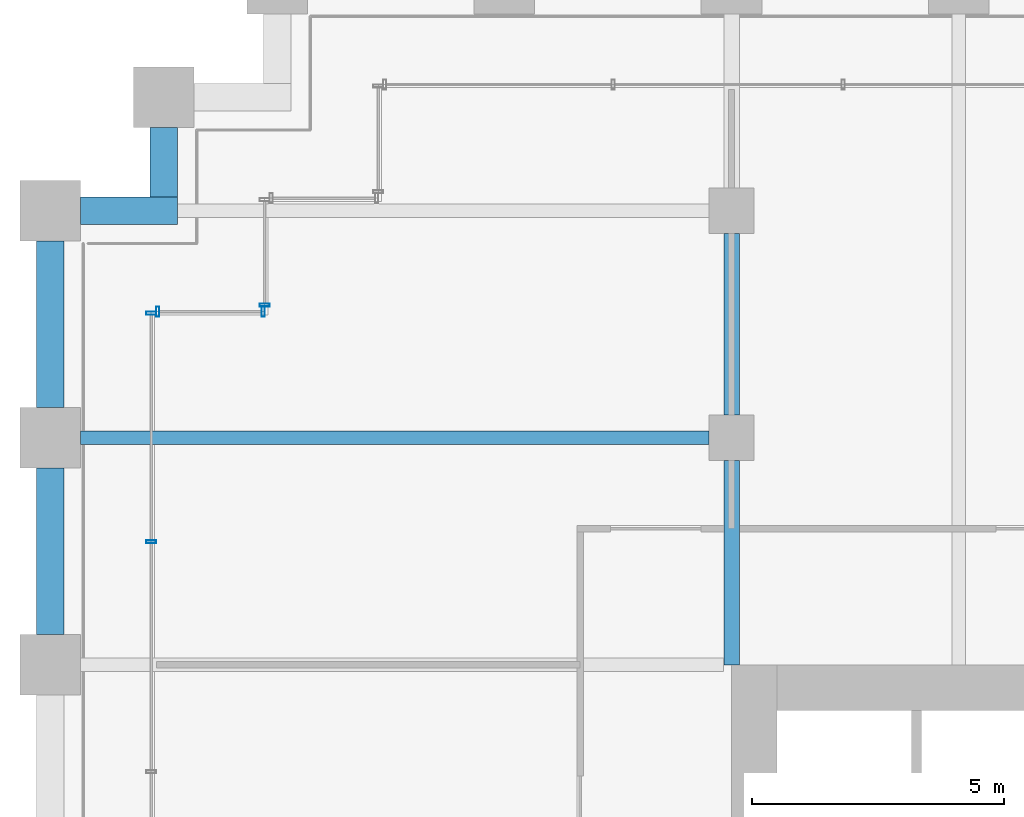
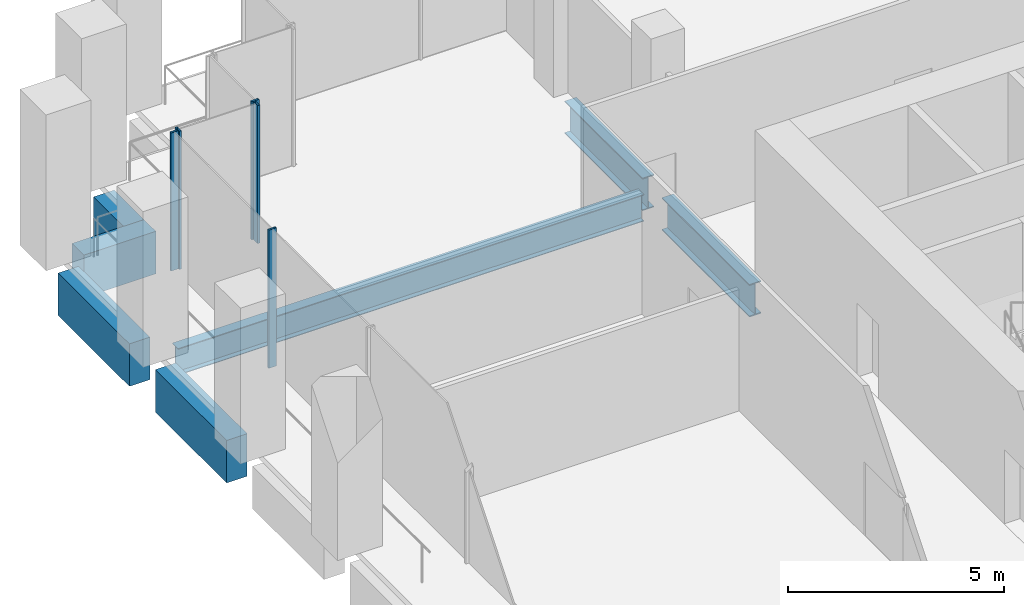
# One storey, part 13 of 36: 7 beams, 5 members, 3 elements without a shape of their own.
"""IFC4 building model written with IfcOpenShell, lengths in metres."""

import ifcopenshell
import ifcopenshell.guid

model = None  # the IFC model being written
_history = None  # IfcOwnerHistory: only IFC2X3 demands one
_inside = {}  # id of a spatial element -> (the spatial element, [elements in it])
_under = {}  # id of a project, library or spatial element -> (it, [spatial elements below it])
_declared = {}  # id of a project -> (the project, [libraries it declares])
_typed = {}  # id of a type object -> (the type object, [elements of that type])
_made_of = {}  # id of a material, layer set ... -> (it, [elements and type objects made of it])


def new_model(schema):
    """Start an empty IFC model of exactly this schema.

    Asked for "IFC4X3", IfcOpenShell would pick the latest addendum, in which some entities
    have other attributes; the version numbers below select the first issue.
    IFC2X3 requires an IfcOwnerHistory on every rooted entity: one is made here for all.
    """
    global model, _history
    if schema == "IFC4X3":
        model = ifcopenshell.file(schema_version=(4, 3, 0, 0))
    else:
        model = ifcopenshell.file(schema=schema)
    _inside.clear()
    _under.clear()
    _declared.clear()
    _typed.clear()
    _made_of.clear()
    _history = None
    if model.schema == "IFC2X3":
        org = make("IfcOrganization", Name="unknown")
        user = make(
            "IfcPersonAndOrganization",
            ThePerson=make("IfcPerson", FamilyName="unknown"),
            TheOrganization=org,
        )
        app = make(
            "IfcApplication",
            ApplicationDeveloper=org,
            Version="unknown",
            ApplicationFullName="unknown",
            ApplicationIdentifier="unknown",
        )
        _history = make(
            "IfcOwnerHistory",
            OwningUser=user,
            OwningApplication=app,
            ChangeAction="ADDED",
            CreationDate=0,
        )
    return model


def make(cls, **values):
    """One entity of the class cls with the attributes given. An attribute that is None is left unset."""
    return model.create_entity(
        cls, **{name: value for name, value in values.items() if value is not None}
    )


def rooted(cls, **values):
    """An entity with a GlobalId (a new one), such as an element, a storey or a relation."""
    return make(cls, GlobalId=ifcopenshell.guid.new(), OwnerHistory=_history, **values)


def si_unit(unit_type, name, prefix=None):
    """IfcSIUnit, for example si_unit("LENGTHUNIT", "METRE", prefix="MILLI")."""
    return make("IfcSIUnit", UnitType=unit_type, Prefix=prefix, Name=name)


def assignment(units):
    """IfcUnitAssignment: the units of a project."""
    return None if units is None else make("IfcUnitAssignment", Units=units)


def point(xyz):
    """IfcCartesianPoint."""
    return None if xyz is None else make("IfcCartesianPoint", Coordinates=xyz)


def direction(xyz):
    """IfcDirection."""
    return None if xyz is None else make("IfcDirection", DirectionRatios=xyz)


def frame(location, z_axis=None, x_axis=None):
    """IfcAxis2Placement3D, a coordinate frame: its origin and axes. An axis left out is left unset."""
    return make(
        "IfcAxis2Placement3D",
        Location=point(location),
        Axis=direction(z_axis),
        RefDirection=direction(x_axis),
    )


def frame_2d(location, x_axis=None):
    """IfcAxis2Placement2D, a coordinate frame in the plane: its origin and x axis."""
    return make(
        "IfcAxis2Placement2D", Location=point(location), RefDirection=direction(x_axis)
    )


def origin():
    """The frame at (0, 0, 0) with its axes left unset."""
    return frame((0.0, 0.0, 0.0))


def origin_2d():
    """The frame at (0, 0) in the plane with its x axis left unset."""
    return frame_2d((0.0, 0.0))


def place(relative_to, where):
    """IfcLocalPlacement: puts the frame where relative to a parent placement (None: the world)."""
    return make(
        "IfcLocalPlacement", PlacementRelTo=relative_to, RelativePlacement=where
    )


def context(
    kind, dimensions, precision=None, world=None, true_north=None, identifier=None
):
    """IfcGeometricRepresentationContext, for example the 3D "Model" context."""
    return make(
        "IfcGeometricRepresentationContext",
        ContextIdentifier=identifier,
        ContextType=kind,
        CoordinateSpaceDimension=dimensions,
        Precision=precision,
        WorldCoordinateSystem=world,
        TrueNorth=true_north,
    )


def subcontext(parent, identifier, kind, view, scale=None):
    """IfcGeometricRepresentationSubContext, for example "Body" below "Model"."""
    return make(
        "IfcGeometricRepresentationSubContext",
        ContextIdentifier=identifier,
        ContextType=kind,
        ParentContext=parent,
        TargetScale=scale,
        TargetView=view,
    )


def project(units=None, contexts=None):
    """IfcProject with its units and contexts."""
    return rooted(
        "IfcProject",
        Name="project",
        RepresentationContexts=contexts,
        UnitsInContext=assignment(units),
    )


def spatial(cls, under=None, at=None, **own):
    """A site, building, storey or space (cls), placed at a placement, below another one or the project."""
    s = rooted(cls, ObjectPlacement=at, **own)
    if under is not None:
        _under.setdefault(under.id(), (under, []))[1].append(s)
    return s


def profile(cls, at=None, kind="AREA", **sizes):
    """A parametric profile (cls). Its sizes go by their IFC names, for example OverallWidth=200.0."""
    return make(cls, ProfileType=kind, Position=at, **sizes)


def rectangle(**sizes):
    """IfcRectangleProfileDef."""
    return profile("IfcRectangleProfileDef", **sizes)


def hollow_rectangle(**sizes):
    """IfcRectangleHollowProfileDef."""
    return profile("IfcRectangleHollowProfileDef", **sizes)


def i_section(**sizes):
    """IfcIShapeProfileDef."""
    return profile("IfcIShapeProfileDef", **sizes)


def extrude(swept, where, along, depth):
    """IfcExtrudedAreaSolid: the profile swept, set in the frame where, extruded along a direction by depth."""
    return make(
        "IfcExtrudedAreaSolid",
        SweptArea=swept,
        Position=where,
        ExtrudedDirection=direction(along),
        Depth=depth,
    )


def shape(context_of_items, identifier, shape_type, items):
    """IfcShapeRepresentation: the items that make up one representation, for example the "Body"."""
    return make(
        "IfcShapeRepresentation",
        ContextOfItems=context_of_items,
        RepresentationIdentifier=identifier,
        RepresentationType=shape_type,
        Items=items,
    )


def material(Name=None, Category=None):
    """IfcMaterial."""
    return make("IfcMaterial", Name=Name, Category=Category)


def material_profile(
    of_material, cross_section, Name=None, Category=None, Priority=None
):
    """IfcMaterialProfile: a cross section and its material."""
    return make(
        "IfcMaterialProfile",
        Name=Name,
        Material=of_material,
        Profile=cross_section,
        Priority=Priority,
        Category=Category,
    )


def profile_set(profiles, Name=None, composite=None):
    """IfcMaterialProfileSet."""
    return make(
        "IfcMaterialProfileSet",
        Name=Name,
        MaterialProfiles=profiles,
        CompositeProfile=composite,
    )


def made_of(thing, what):
    """Note that an element or type object is made of a material, layer set ...; save() writes the relation."""
    if what is not None:
        _made_of.setdefault(what.id(), (what, []))[1].append(thing)
    return thing


def type_object(cls, material=None, **own):
    """A type object (cls), such as IfcWallType, which elements share."""
    return made_of(rooted(cls, **own), material)


def element(
    cls,
    number,
    at=None,
    inside=None,
    cuts=None,
    type_object=None,
    material=None,
    context=None,
    identifier="Body",
    shape_type=None,
    held_by="IfcProductDefinitionShape",
    body=None,
    shapes=None,
    **own,
):
    """One element of the class cls, such as IfcWall. Its Tag is "e" and its number.

    at: its placement. inside: the storey or other place that contains it. cuts: it is an
    opening in that element (IfcRelVoidsElement). A single representation is given by context,
    identifier, shape_type and body (its items); several are given by shapes. held_by: the class
    of the entity that holds the representations. save() writes the other relations.
    """
    e = rooted(cls, Tag="e%d" % number, ObjectPlacement=at, **own)
    if body is not None:
        shapes = [shape(context, identifier, shape_type, body)]
    if shapes is not None:
        e.Representation = make(held_by, Representations=shapes)
    if inside is not None:
        _inside.setdefault(inside.id(), (inside, []))[1].append(e)
    if cuts is not None:
        rooted(
            "IfcRelVoidsElement", RelatingBuildingElement=cuts, RelatedOpeningElement=e
        )
    if type_object is not None:
        _typed.setdefault(type_object.id(), (type_object, []))[1].append(e)
    return made_of(e, material)


def aggregate(whole, parts):
    """IfcRelAggregates: a whole, such as a stair, and the parts it consists of."""
    return rooted("IfcRelAggregates", RelatingObject=whole, RelatedObjects=parts)


def save(model, path):
    """Write the relations noted so far, then the file.

    IfcRelAggregates (storeys below a building ...), IfcRelContainedInSpatialStructure (elements
    in a storey), IfcRelDefinesByType, IfcRelAssociatesMaterial and IfcRelDeclares: one each for
    every whole, place, type object, material and project.
    """
    for whole, parts in _under.values():
        aggregate(whole, parts)
    for where, things in _inside.values():
        rooted(
            "IfcRelContainedInSpatialStructure",
            RelatedElements=things,
            RelatingStructure=where,
        )
    for kind, things in _typed.values():
        rooted("IfcRelDefinesByType", RelatedObjects=things, RelatingType=kind)
    for what, things in _made_of.values():
        rooted("IfcRelAssociatesMaterial", RelatedObjects=things, RelatingMaterial=what)
    for by, libraries in _declared.values():
        rooted("IfcRelDeclares", RelatingContext=by, RelatedDefinitions=libraries)
    model.write(path)


model = new_model("IFC4")

# Units and contexts
model_context = context("Model", 3, precision=1e-05, world=origin(), true_north=direction((0.0, 1.0)))
body_context = subcontext(model_context, "Body", "Model", "MODEL_VIEW")
ifc_project = project(units=[si_unit("LENGTHUNIT", "METRE"), si_unit("AREAUNIT", "SQUARE_METRE"), si_unit("VOLUMEUNIT", "CUBIC_METRE"), si_unit("PLANEANGLEUNIT", "RADIAN"), si_unit("MASSUNIT", "GRAM", prefix="KILO")], contexts=[model_context])

# Site, building, storey
site_placement = place(None, origin())
site = spatial("IfcSite", under=ifc_project, at=site_placement, CompositionType="ELEMENT")
building_placement = place(site_placement, origin())
building = spatial("IfcBuilding", under=site, at=building_placement, Name="Altepetl Exchange Towers", CompositionType="ELEMENT")
storey_placement = place(building_placement, frame((0.0, 0.0, 29.800048828125)))
storey = spatial("IfcBuildingStorey", under=building, at=storey_placement, Name="L06", CompositionType="ELEMENT", Elevation=29.800048828125)

# Beams
ifc_material_1 = material(Name="Steel S355", Category="steel")
ifc_material_profile_1 = material_profile(ifc_material_1, i_section(OverallWidth=0.26611328125, OverallDepth=0.758056640625, WebThickness=0.013916015625, FlangeThickness=0.019287109375, at=origin_2d()), Name="W30X108")
ifc_profile_set_1 = profile_set([ifc_material_profile_1], Name="Steel S355")
beam_type_1 = type_object("IfcBeamType", Name="Floor beam W30X108", PredefinedType="BEAM", material=ifc_profile_set_1)
beam_1_placement = place(storey_placement, frame((27.60009765625, 63.0, -0.553955078125), z_axis=(1.0, 0.0, 0.0), x_axis=(0.0, 1.0, 0.0)))
element("IfcBeam", 1, at=beam_1_placement, inside=storey, type_object=beam_type_1, Name="bm:A:L06:022", PredefinedType="BEAM", context=body_context, shape_type="SweptSolid", body=[
    extrude(i_section(OverallWidth=0.26611328125, OverallDepth=0.758056640625, WebThickness=0.013916015625, FlangeThickness=0.019287109375, at=origin_2d()), origin(), (0.0, 0.0, 1.0), 12.449951171875),
])
ifc_material_profile_2 = material_profile(ifc_material_1, i_section(OverallWidth=0.306884765625, OverallDepth=0.923095703125, WebThickness=0.018310546875, FlangeThickness=0.030029296875, at=origin_2d()), Name="W36X182")
ifc_profile_set_2 = profile_set([ifc_material_profile_2], Name="Steel S355")
beam_type_2 = type_object("IfcBeamType", Name="Girder W36X182", PredefinedType="BEAM", material=ifc_profile_set_2)
beam_2_placement = place(storey_placement, frame((40.5, 67.050048828125, -0.636474609375), z_axis=(0.0, -1.0, 0.0), x_axis=(1.0, 0.0, 0.0)))
element("IfcBeam", 2, at=beam_2_placement, inside=storey, type_object=beam_type_2, Name="gd:A:L06:004", PredefinedType="BEAM", context=body_context, shape_type="SweptSolid", body=[
    extrude(i_section(OverallWidth=0.306884765625, OverallDepth=0.923095703125, WebThickness=0.018310546875, FlangeThickness=0.030029296875, at=origin_2d()), origin(), (0.0, 0.0, 1.0), 3.60009765625),
])
beam_3_placement = place(storey_placement, frame((40.5, 62.550048828125, -0.636474609375), z_axis=(0.0, -1.0, 0.0), x_axis=(1.0, 0.0, 0.0)))
element("IfcBeam", 3, at=beam_3_placement, inside=storey, type_object=beam_type_2, Name="gd:A:L06:005", PredefinedType="BEAM", context=body_context, shape_type="SweptSolid", body=[
    extrude(i_section(OverallWidth=0.306884765625, OverallDepth=0.923095703125, WebThickness=0.018310546875, FlangeThickness=0.030029296875, at=origin_2d()), origin(), (0.0, 0.0, 1.0), 4.050048828125),
])

# Curtain wall, members
ifc_material_2 = material(Name="Aluminium 6063-T6 glazing", Category="aluminium")
curtain_wall_type = type_object("IfcCurtainWallType", Name="Trading floor glazing system", PredefinedType="NOTDEFINED", material=ifc_material_2)
curtain_wall_1_placement = place(storey_placement, origin())
curtain_wall_1 = element("IfcCurtainWall", 4, at=curtain_wall_1_placement, inside=storey, type_object=curtain_wall_type, Name="CW2 run", PredefinedType="NOTDEFINED")
ifc_material_3 = material(Name="Aluminium 6063-T6", Category="aluminium")
ifc_material_profile_3 = material_profile(ifc_material_3, hollow_rectangle(XDim=0.06005859375, YDim=0.199951171875, WallThickness=0.0029296875, at=origin_2d()), Name="Mullion 60x200 aluminium")
ifc_profile_set_3 = profile_set([ifc_material_profile_3], Name="Aluminium 6063-T6")
member_type = type_object("IfcMemberType", Name="Mullion 60x200 aluminium", PredefinedType="MULLION", material=ifc_profile_set_3)
member_1_placement = place(storey_placement, frame((31.219970703125, 65.5, 0.0), z_axis=(0.0, 0.0, 1.0), x_axis=(-1.0, 0.0, 0.0)))
member_1 = element("IfcMember", 5, at=member_1_placement, type_object=member_type, Name="MU2 mullion", PredefinedType="MULLION", context=body_context, shape_type="SweptSolid", body=[
    extrude(hollow_rectangle(XDim=0.06005859375, YDim=0.199951171875, WallThickness=0.0029296875, at=origin_2d()), origin(), (0.0, 0.0, 1.0), 3.89990234375),
])
member_2_placement = place(storey_placement, frame((29.1298828125, 65.5, 0.0), z_axis=(0.0, 0.0, 1.0), x_axis=(-1.0, 0.0, 0.0)))
member_2 = element("IfcMember", 6, at=member_2_placement, type_object=member_type, Name="MU2 mullion", PredefinedType="MULLION", context=body_context, shape_type="SweptSolid", body=[
    extrude(hollow_rectangle(XDim=0.06005859375, YDim=0.199951171875, WallThickness=0.0029296875, at=origin_2d()), origin(), (0.0, 0.0, 1.0), 3.89990234375),
])
aggregate(curtain_wall_1, [member_1, member_2])

curtain_wall_2_placement = place(storey_placement, origin())
curtain_wall_2 = element("IfcCurtainWall", 7, at=curtain_wall_2_placement, inside=storey, type_object=curtain_wall_type, Name="CW2 run", PredefinedType="NOTDEFINED")
member_3_placement = place(storey_placement, frame((29.0, 65.469970703125, 0.0), z_axis=(0.0, 0.0, 1.0), x_axis=(0.0, -1.0, 0.0)))
member_3 = element("IfcMember", 8, at=member_3_placement, type_object=member_type, Name="MU2 mullion", PredefinedType="MULLION", context=body_context, shape_type="SweptSolid", body=[
    extrude(hollow_rectangle(XDim=0.06005859375, YDim=0.199951171875, WallThickness=0.0029296875, at=origin_2d()), origin(), (0.0, 0.0, 1.0), 3.89990234375),
])
member_4_placement = place(storey_placement, frame((29.0, 60.94287109375, 0.0), z_axis=(0.0, 0.0, 1.0), x_axis=(0.0, -1.0, 0.0)))
member_4 = element("IfcMember", 9, at=member_4_placement, type_object=member_type, Name="MU2 mullion", PredefinedType="MULLION", context=body_context, shape_type="SweptSolid", body=[
    extrude(hollow_rectangle(XDim=0.06005859375, YDim=0.199951171875, WallThickness=0.0029296875, at=origin_2d()), origin(), (0.0, 0.0, 1.0), 3.89990234375),
])
aggregate(curtain_wall_2, [member_3, member_4])

# Curtain wall, member
curtain_wall_3_placement = place(storey_placement, origin())
curtain_wall_3 = element("IfcCurtainWall", 10, at=curtain_wall_3_placement, inside=storey, type_object=curtain_wall_type, Name="CW2 run", PredefinedType="NOTDEFINED")
member_5_placement = place(storey_placement, frame((31.25, 65.6298828125, 0.0), z_axis=(0.0, 0.0, 1.0), x_axis=(0.0, -1.0, 0.0)))
member_5 = element("IfcMember", 11, at=member_5_placement, type_object=member_type, Name="MU2 mullion", PredefinedType="MULLION", context=body_context, shape_type="SweptSolid", body=[
    extrude(hollow_rectangle(XDim=0.06005859375, YDim=0.199951171875, WallThickness=0.0029296875, at=origin_2d()), origin(), (0.0, 0.0, 1.0), 3.89990234375),
])
aggregate(curtain_wall_3, [member_5])

# Beams
ifc_material_4 = material(Name="Concrete C50/60 precast with tezontle facing", Category="concrete")
ifc_material_profile_4 = material_profile(ifc_material_4, rectangle(XDim=0.550048828125, YDim=1.199951171875, at=origin_2d()), Name="550 x 1200")
ifc_profile_set_4 = profile_set([ifc_material_profile_4], Name="Concrete C50/60 precast with tezontle facing")
beam_type_3 = type_object("IfcBeamType", Name="Spandrel beam 550x1200 tezontle", PredefinedType="SPANDREL", material=ifc_profile_set_4)
beam_4_placement = place(storey_placement, frame((29.25, 69.14990234375, -0.775146484375), z_axis=(0.0, -1.0, 0.0), x_axis=(1.0, 0.0, 0.0)))
element("IfcBeam", 12, at=beam_4_placement, inside=storey, type_object=beam_type_3, Name="sp:A:L06:034", PredefinedType="SPANDREL", context=body_context, shape_type="SweptSolid", body=[
    extrude(rectangle(XDim=0.550048828125, YDim=1.199951171875, at=origin_2d()), origin(), (0.0, 0.0, 1.0), 1.375),
])
beam_5_placement = place(storey_placement, frame((29.52490234375, 67.5, -0.775146484375), z_axis=(-1.0, 0.0, 0.0), x_axis=(0.0, -1.0, 0.0)))
element("IfcBeam", 13, at=beam_5_placement, inside=storey, type_object=beam_type_3, Name="sp:A:L06:035", PredefinedType="SPANDREL", context=body_context, shape_type="SweptSolid", body=[
    extrude(rectangle(XDim=0.550048828125, YDim=1.199951171875, at=origin_2d()), origin(), (0.0, 0.0, 1.0), 1.9248046875),
])
for number, where, z_axis, x_axis, name in (
    (14, (27.0, 66.89990234375, -0.775146484375), (0.0, -1.0, 0.0), (1.0, 0.0, 0.0), "sp:A:L06:036"),
    (15, (27.0, 62.39990234375, -0.775146484375), (0.0, -1.0, 0.0), (1.0, 0.0, 0.0), "sp:A:L06:037"),
):
    element("IfcBeam", number, at=place(storey_placement, frame(where, z_axis=z_axis, x_axis=x_axis)), inside=storey, type_object=beam_type_3, Name=name, PredefinedType="SPANDREL", context=body_context, shape_type="SweptSolid", body=[
        extrude(rectangle(XDim=0.550048828125, YDim=1.199951171875, at=origin_2d()), origin(), (0.0, 0.0, 1.0), 3.2998046875),
    ])

save(model, "model.ifc")
